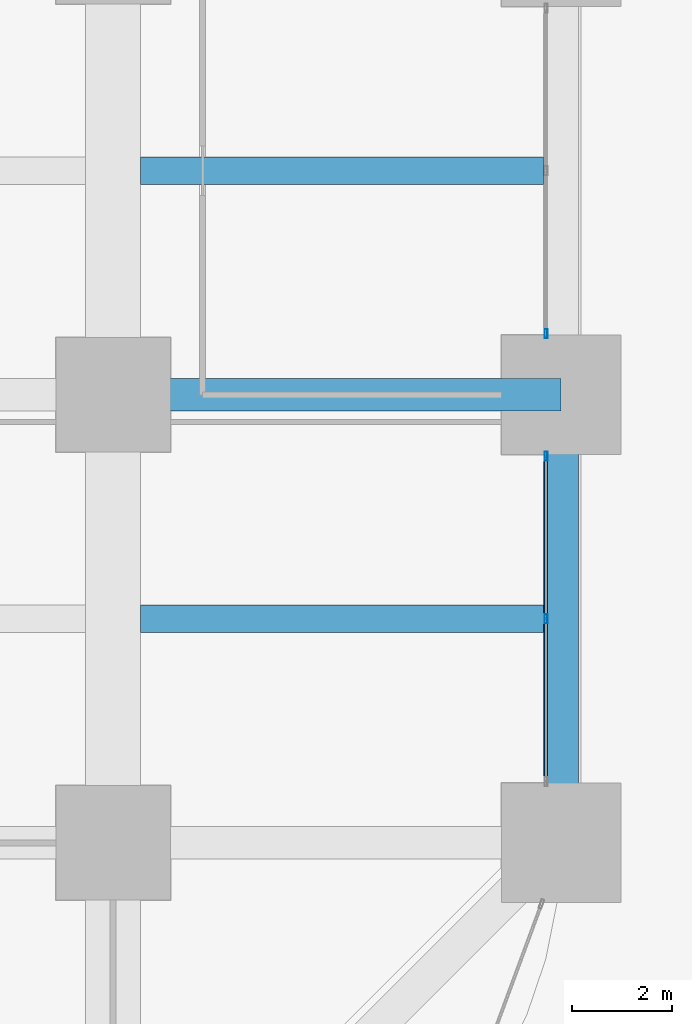
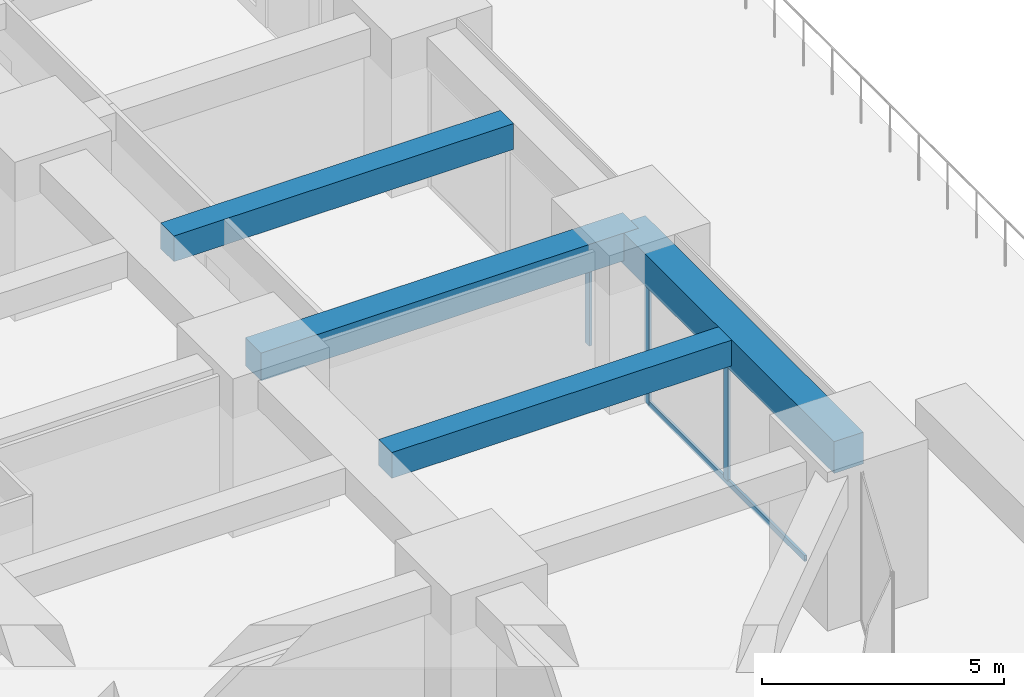
# One storey, part 25 of 38: 4 beams, 4 members, 2 elements without a shape of their own.
"""IFC4 building model written with IfcOpenShell, lengths in metres."""

from ifc_helpers import new_model, si_unit, direction, frame, origin, origin_2d, place, context, subcontext, project, spatial, rectangle, hollow_rectangle, extrude, material, material_profile, profile_set, type_object, element, aggregate, save


model = new_model("IFC4")

# Units and contexts
model_context = context("Model", 3, precision=1e-05, world=origin(), true_north=direction((0.0, 1.0)))
body_context = subcontext(model_context, "Body", "Model", "MODEL_VIEW")
ifc_project = project(units=[si_unit("LENGTHUNIT", "METRE"), si_unit("AREAUNIT", "SQUARE_METRE"), si_unit("VOLUMEUNIT", "CUBIC_METRE"), si_unit("PLANEANGLEUNIT", "RADIAN"), si_unit("MASSUNIT", "GRAM", prefix="KILO")], contexts=[model_context])

# Site, building, storey
site_placement = place(None, origin())
site = spatial("IfcSite", under=ifc_project, at=site_placement, CompositionType="ELEMENT")
building_placement = place(site_placement, origin())
building = spatial("IfcBuilding", under=site, at=building_placement, Name="Zorevar Civic Tower", CompositionType="ELEMENT")
storey_placement = place(building_placement, frame((0.0, 0.0, 15.800048828125)))
storey = spatial("IfcBuildingStorey", under=building, at=storey_placement, Name="L03", CompositionType="ELEMENT", Elevation=15.800048828125)

# Beams
ifc_material_1 = material(Name="Concrete C50/60", Category="concrete")
ifc_material_profile_1 = material_profile(ifc_material_1, rectangle(XDim=0.550048828125, YDim=0.64990234375, at=origin_2d()), Name="RC 550x650")
ifc_profile_set_1 = profile_set([ifc_material_profile_1], Name="Concrete C50/60")
beam_type_1 = type_object("IfcBeamType", Name="Beam RC 550x650", PredefinedType="BEAM", material=ifc_profile_set_1)
for number, where, z_axis, x_axis, name in (
    (1, (54.550048828125, 13.5, 3.425048828125), (1.0, 0.0, 0.0), (0.0, 1.0, 0.0), "Secondary beam L04"),
    (2, (54.550048828125, 22.5, 3.425048828125), (1.0, 0.0, 0.0), (0.0, 1.0, 0.0), "Secondary beam L04"),
):
    element("IfcBeam", number, at=place(storey_placement, frame(where, z_axis=z_axis, x_axis=x_axis)), inside=storey, type_object=beam_type_1, Name=name, PredefinedType="BEAM", context=body_context, shape_type="SweptSolid", body=[
        extrude(rectangle(XDim=0.550048828125, YDim=0.64990234375, at=origin_2d()), origin(), (0.0, 0.0, 1.0), 8.099853515625),
    ])
ifc_material_2 = material(Name="Concrete C50/60", Category="concrete")
ifc_material_profile_2 = material_profile(ifc_material_2, rectangle(XDim=0.64990234375, YDim=0.699951171875, at=origin_2d()), Name="RC 650x700")
ifc_profile_set_2 = profile_set([ifc_material_profile_2], Name="Concrete C50/60")
beam_type_2 = type_object("IfcBeamType", Name="Beam RC 650x700", PredefinedType="BEAM", material=ifc_profile_set_2)
beam_1_placement = place(storey_placement, frame((54.0, 18.0, 3.39990234375), z_axis=(1.0, 0.0, 0.0), x_axis=(0.0, 1.0, 0.0)))
element("IfcBeam", 3, at=beam_1_placement, inside=storey, type_object=beam_type_2, Name="Girder L04", PredefinedType="BEAM", context=body_context, shape_type="SweptSolid", body=[
    extrude(rectangle(XDim=0.64990234375, YDim=0.699951171875, at=origin_2d()), origin(), (0.0, 0.0, 1.0), 9.0),
])

# Curtain wall, members
ifc_material_3 = material(Name="Dark grey solar-control glass in black aluminium frame", Category="aluminium")
curtain_wall_type = type_object("IfcCurtainWallType", Name="Curtain wall CW2 low zone", PredefinedType="NOTDEFINED", material=ifc_material_3)
curtain_wall_1_placement = place(storey_placement, origin())
curtain_wall_1 = element("IfcCurtainWall", 4, at=curtain_wall_1_placement, inside=storey, type_object=curtain_wall_type, Name="CW2 L03", PredefinedType="NOTDEFINED")
ifc_material_4 = material(Name="Aluminium, black anodised", Category="aluminium")
ifc_material_profile_3 = material_profile(ifc_material_4, hollow_rectangle(XDim=0.06005859375, YDim=0.179931640625, WallThickness=0.00390625, at=origin_2d()), Name="AL 180x60x4")
ifc_profile_set_3 = profile_set([ifc_material_profile_3], Name="Aluminium, black anodised")
member_type_1 = type_object("IfcMemberType", Name="CW2 mullion AL 180x60x4", PredefinedType="MULLION", material=ifc_profile_set_3)
member_1_placement = place(storey_placement, frame((62.699951171875, 13.5, 0.06005859375), z_axis=(0.0, 0.0, 1.0), x_axis=(-1.0, 0.0, 0.0)))
member_1 = element("IfcMember", 5, at=member_1_placement, type_object=member_type_1, Name="CW2 mullion 2", PredefinedType="MULLION", context=body_context, shape_type="SweptSolid", body=[
    extrude(hollow_rectangle(XDim=0.06005859375, YDim=0.179931640625, WallThickness=0.00390625, at=origin_2d()), origin(), (0.0, 0.0, 1.0), 2.889892578125),
])
member_2_placement = place(storey_placement, frame((62.699951171875, 16.77001953125, 0.0), z_axis=(0.0, 0.0, 1.0), x_axis=(-1.0, 0.0, 0.0)))
member_2 = element("IfcMember", 6, at=member_2_placement, type_object=member_type_1, Name="CW2 mullion 3", PredefinedType="MULLION", context=body_context, shape_type="SweptSolid", body=[
    extrude(hollow_rectangle(XDim=0.06005859375, YDim=0.179931640625, WallThickness=0.00390625, at=origin_2d()), origin(), (0.0, 0.0, 1.0), 2.949951171875),
])

# Curtain wall, member
curtain_wall_2_placement = place(storey_placement, origin())
curtain_wall_2 = element("IfcCurtainWall", 7, at=curtain_wall_2_placement, inside=storey, type_object=curtain_wall_type, Name="CW2 L03", PredefinedType="NOTDEFINED")
member_3_placement = place(storey_placement, frame((62.699951171875, 19.22998046875, 0.0), z_axis=(0.0, 0.0, 1.0), x_axis=(-1.0, 0.0, 0.0)))
member_3 = element("IfcMember", 8, at=member_3_placement, type_object=member_type_1, Name="CW2 mullion 1", PredefinedType="MULLION", context=body_context, shape_type="SweptSolid", body=[
    extrude(hollow_rectangle(XDim=0.06005859375, YDim=0.179931640625, WallThickness=0.00390625, at=origin_2d()), origin(), (0.0, 0.0, 1.0), 2.949951171875),
])
aggregate(curtain_wall_2, [member_3])

# Member
ifc_material_5 = material(Name="Aluminium, black anodised", Category="aluminium")
ifc_material_profile_4 = material_profile(ifc_material_5, hollow_rectangle(XDim=0.06005859375, YDim=0.14990234375, WallThickness=0.00390625, at=origin_2d()), Name="AL 150x60x4")
ifc_profile_set_4 = profile_set([ifc_material_profile_4], Name="Aluminium, black anodised")
member_type_2 = type_object("IfcMemberType", Name="CW2 transom AL 150x60x4", PredefinedType="USERDEFINED", material=ifc_profile_set_4)
member_4_placement = place(storey_placement, frame((62.699951171875, 10.260009765625, 0.030029296875), z_axis=(0.0, 1.0, 0.0), x_axis=(-1.0, 0.0, 0.0)))
member_4 = element("IfcMember", 9, at=member_4_placement, type_object=member_type_2, Name="CW2 sill transom", ObjectType="TRANSOM", PredefinedType="USERDEFINED", context=body_context, shape_type="SweptSolid", body=[
    extrude(hollow_rectangle(XDim=0.06005859375, YDim=0.14990234375, WallThickness=0.00390625, at=origin_2d()), origin(), (0.0, 0.0, 1.0), 6.47998046875),
])

aggregate(curtain_wall_1, [member_1, member_2, member_4])

# Beam
ifc_material_6 = material(Name="Concrete C50/60", Category="concrete")
ifc_material_profile_5 = material_profile(ifc_material_6, rectangle(XDim=0.699951171875, YDim=0.800048828125, at=origin_2d()), Name="RC 700x800")
ifc_profile_set_5 = profile_set([ifc_material_profile_5], Name="Concrete C50/60")
beam_type_3 = type_object("IfcBeamType", Name="Edge beam RC 700x800", PredefinedType="SPANDREL", material=ifc_profile_set_5)
beam_2_placement = place(storey_placement, frame((63.0, 9.0, 3.349853515625), z_axis=(0.0, 1.0, 0.0), x_axis=(-1.0, 0.0, 0.0)))
element("IfcBeam", 10, at=beam_2_placement, inside=storey, type_object=beam_type_3, Name="Edge beam L04", PredefinedType="SPANDREL", context=body_context, shape_type="SweptSolid", body=[
    extrude(rectangle(XDim=0.699951171875, YDim=0.800048828125, at=origin_2d()), origin(), (0.0, 0.0, 1.0), 9.0),
])

save(model, "model.ifc")
